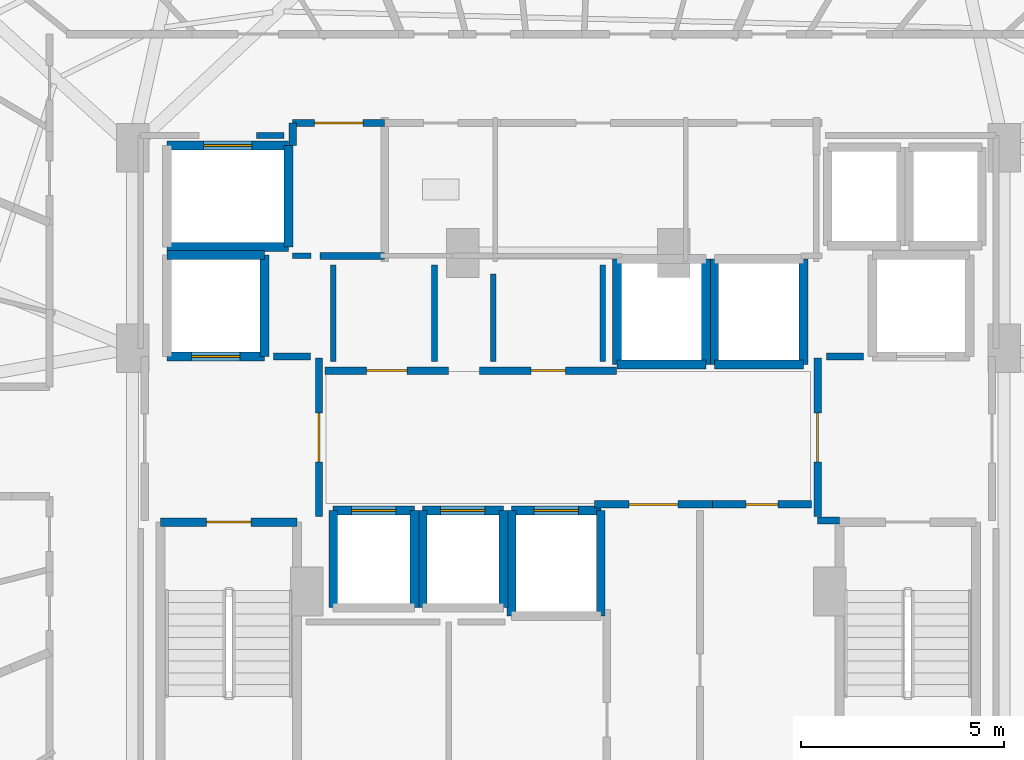
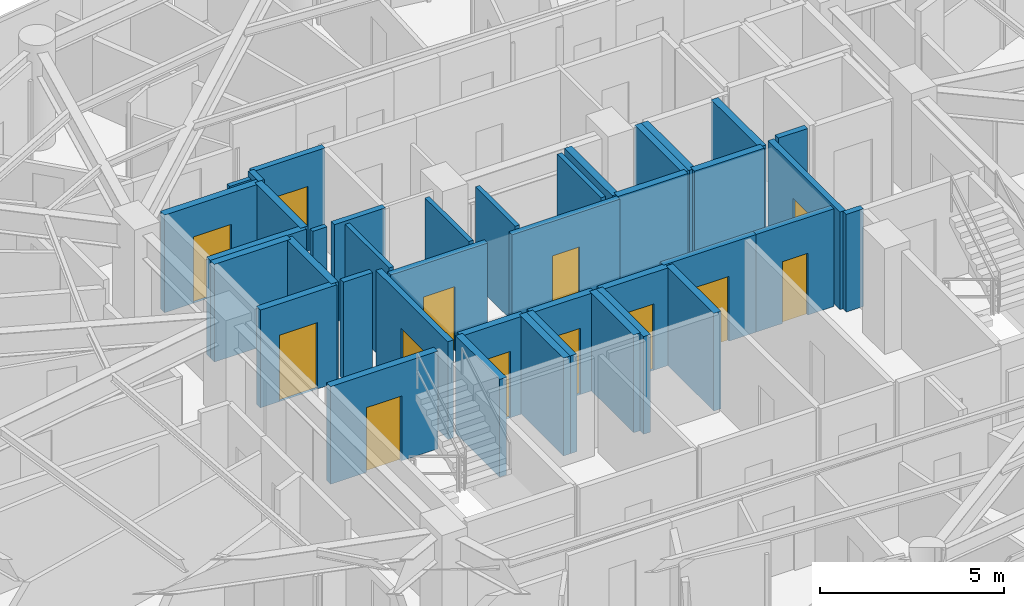
# One storey, part 22 of 28: 40 walls, 13 doors, 13 openings.
"""IFC4 building model written with IfcOpenShell, lengths in metres."""

from ifc_helpers import new_model, si_unit, direction, frame, frame_2d, origin, place, context, subcontext, project, spatial, rectangle, extrude, material, layer, layer_set, type_object, element, fill, save


model = new_model("IFC4")

# Units and contexts
model_context = context("Model", 3, precision=1e-05, world=origin(), true_north=direction((0.0, 1.0)))
body_context = subcontext(model_context, "Body", "Model", "MODEL_VIEW")
ifc_project = project(units=[si_unit("LENGTHUNIT", "METRE"), si_unit("AREAUNIT", "SQUARE_METRE"), si_unit("VOLUMEUNIT", "CUBIC_METRE"), si_unit("PLANEANGLEUNIT", "RADIAN"), si_unit("MASSUNIT", "GRAM", prefix="KILO")], contexts=[model_context])

# Site, building, storey
site_placement = place(None, origin())
site = spatial("IfcSite", under=ifc_project, at=site_placement, CompositionType="ELEMENT")
building_placement = place(site_placement, origin())
building = spatial("IfcBuilding", under=site, at=building_placement, Name="Vorneva Point Tower", CompositionType="ELEMENT")
storey_placement = place(building_placement, frame((0.0, 0.0, 143.10009765625)))
storey = spatial("IfcBuildingStorey", under=building, at=storey_placement, Name="L38", CompositionType="ELEMENT", Elevation=143.10009765625)

# Wall, opening, door
ifc_material_1 = material(Name="Concrete B60 (C50/60)", Category="concrete")
ifc_layer_1 = layer(ifc_material_1, 0.5)
ifc_layer_set_1 = layer_set([ifc_layer_1], Name="Concrete B60 (C50/60)")
wall_type_1 = type_object("IfcWallType", Name="WL-CORE-500", PredefinedType="SHEAR", material=ifc_layer_set_1)
wall_1_placement = place(storey_placement, frame((28.10009765625, 28.0, 0.0), z_axis=(0.0, 0.0, 1.0), x_axis=(1.0, 0.0, 0.0)))
wall_1 = element("IfcWall", 1, at=wall_1_placement, inside=storey, type_object=wall_type_1, Name="L38 Lift FFL1 Shaft Wall -Y", PredefinedType="SHEAR", context=body_context, shape_type="SweptSolid", body=[
    extrude(rectangle(XDim=2.39990234375, YDim=0.219970703125, at=frame_2d((1.199951171875, 0.0))), origin(), (0.0, 0.0, 1.0), 3.239990234375),
])
opening_1_placement = place(wall_1_placement, frame((0.60009765625, 0.0, 0.0)))
opening_1 = element("IfcOpeningElement", 2, at=opening_1_placement, cuts=wall_1, Name="Opening LD-02", PredefinedType="OPENING", context=body_context, shape_type="SweptSolid", body=[
    extrude(rectangle(XDim=1.199951171875, YDim=2.199951171875, at=frame_2d((0.60009765625, 1.10009765625))), frame((0.0, 0.125, 0.0), z_axis=(0.0, -1.0, 0.0), x_axis=(1.0, 0.0, 0.0)), (0.0, 0.0, 1.0), 0.249755859375),
])
ifc_material_2 = material(Name="Brushed stainless steel S304", Category="steel")
door_type_1 = type_object("IfcDoorType", Name="LD-FIRE-1200", OperationType="SLIDING_TO_LEFT", PredefinedType="DOOR", material=ifc_material_2)
door_1_placement = place(opening_1_placement, origin())
door_1 = element("IfcDoor", 3, at=door_1_placement, inside=storey, type_object=door_type_1, Name="L38 Lift FFL1 Sliding Landing Door", OperationType="SLIDING_TO_LEFT", OverallHeight=2.199951171875, OverallWidth=1.199951171875, PredefinedType="DOOR", context=body_context, shape_type="SweptSolid", body=[
    extrude(rectangle(XDim=1.199951171875, YDim=2.199951171875, at=frame_2d((0.60009765625, 1.10009765625))), frame((0.0, 0.02490234375, 0.0), z_axis=(0.0, -1.0, 0.0), x_axis=(1.0, 0.0, 0.0)), (0.0, 0.0, 1.0), 0.050048828125),
])
fill(opening_1, door_1)

# Walls
wall_2_placement = place(storey_placement, frame((30.5, 28.0, 0.0), z_axis=(0.0, 0.0, 1.0), x_axis=(0.0, 1.0, 0.0)))
element("IfcWall", 4, at=wall_2_placement, inside=storey, type_object=wall_type_1, Name="L38 Lift FFL1 Shaft Wall +X", PredefinedType="SHEAR", context=body_context, shape_type="SweptSolid", body=[
    extrude(rectangle(XDim=2.5, YDim=0.219970703125, at=frame_2d((1.25, 0.0))), origin(), (0.0, 0.0, 1.0), 3.239990234375),
])
wall_3_placement = place(storey_placement, frame((30.5, 30.5, 0.0), z_axis=(0.0, 0.0, 1.0), x_axis=(-1.0, 0.0, 0.0)))
element("IfcWall", 5, at=wall_3_placement, inside=storey, type_object=wall_type_1, Name="L38 Lift FFL1 Shaft Wall +Y", PredefinedType="SHEAR", context=body_context, shape_type="SweptSolid", body=[
    extrude(rectangle(XDim=2.39990234375, YDim=0.219970703125, at=frame_2d((1.199951171875, 0.0))), origin(), (0.0, 0.0, 1.0), 3.239990234375),
])
ifc_material_3 = material(Name="Fire-rated acoustic gypsum stud partition", Category="gypsum")
ifc_layer_2 = layer(ifc_material_3, 0.139892578125)
ifc_layer_set_2 = layer_set([ifc_layer_2], Name="Fire-rated acoustic gypsum stud partition")
wall_type_2 = type_object("IfcWallType", Name="WL-PART-140", PredefinedType="PARTITIONING", material=ifc_layer_set_2)
wall_4_placement = place(storey_placement, frame((31.199951171875, 30.47998046875, 0.0), z_axis=(0.0, 0.0, 1.0), x_axis=(1.0, 0.0, 0.0)))
element("IfcWall", 6, at=wall_4_placement, inside=storey, type_object=wall_type_2, Name="L38 Interior Closure Partition 136", PredefinedType="PARTITIONING", context=body_context, shape_type="SweptSolid", body=[
    extrude(rectangle(XDim=0.449951171875, YDim=0.139892578125, at=frame_2d((0.22509765625, 0.0))), origin(), (0.0, 0.0, 1.0), 3.239990234375),
])
for number, where, z_axis, x_axis, name in (
    (7, (32.199951171875, 30.260009765625, 0.0), (0.0, 0.0, 1.0), (0.0, -1.0, 0.0), "L38 Interior Closure Partition 142"),
    (8, (34.699951171875, 27.8701171875, 0.0), (0.0, 0.0, 1.0), (0.0, 1.0, 0.0), "L38 Interior Closure Partition 143"),
):
    element("IfcWall", number, at=place(storey_placement, frame(where, z_axis=z_axis, x_axis=x_axis)), inside=storey, type_object=wall_type_2, Name=name, PredefinedType="PARTITIONING", context=body_context, shape_type="SweptSolid", body=[
        extrude(rectangle(XDim=2.389892578125, YDim=0.139892578125, at=frame_2d((1.19482421875, 0.0))), origin(), (0.0, 0.0, 1.0), 3.239990234375),
    ])
wall_5_placement = place(storey_placement, frame((36.14990234375, 30.030029296875, 0.0), z_axis=(0.0, 0.0, 1.0), x_axis=(0.0, -1.0, 0.0)))
element("IfcWall", 9, at=wall_5_placement, inside=storey, type_object=wall_type_2, Name="L38 Interior Closure Partition 144", PredefinedType="PARTITIONING", context=body_context, shape_type="SweptSolid", body=[
    extrude(rectangle(XDim=2.159912109375, YDim=0.139892578125, at=frame_2d((1.080078125, 0.0))), origin(), (0.0, 0.0, 1.0), 3.239990234375),
])
wall_6_placement = place(storey_placement, frame((38.85009765625, 27.8701171875, 0.0), z_axis=(0.0, 0.0, 1.0), x_axis=(0.0, 1.0, 0.0)))
element("IfcWall", 10, at=wall_6_placement, inside=storey, type_object=wall_type_2, Name="L38 Interior Closure Partition 145", PredefinedType="PARTITIONING", context=body_context, shape_type="SweptSolid", body=[
    extrude(rectangle(XDim=2.389892578125, YDim=0.139892578125, at=frame_2d((1.19482421875, 0.0))), origin(), (0.0, 0.0, 1.0), 3.239990234375),
])
wall_7_placement = place(storey_placement, frame((30.97998046875, 33.449951171875, 0.0), z_axis=(0.0, 0.0, 1.0), x_axis=(-1.0, 0.0, 0.0)))
element("IfcWall", 11, at=wall_7_placement, inside=storey, type_object=wall_type_2, Name="L38 Interior Closure Partition 149", PredefinedType="PARTITIONING", context=body_context, shape_type="SweptSolid", body=[
    extrude(rectangle(XDim=0.674072265625, YDim=0.139892578125, at=frame_2d((0.3369140625, 0.0))), origin(), (0.0, 0.0, 1.0), 3.239990234375),
])

# Wall, opening, door
ifc_material_4 = material(Name="Autoclaved aerated concrete blockwork", Category="masonry")
ifc_layer_3 = layer(ifc_material_4, 0.179931640625)
ifc_layer_set_3 = layer_set([ifc_layer_3], Name="Autoclaved aerated concrete blockwork")
wall_type_3 = type_object("IfcWallType", Name="WL-PART-180", PredefinedType="PARTITIONING", material=ifc_layer_set_3)
wall_8_placement = place(storey_placement, frame((31.85009765625, 24.044921875, 0.0), z_axis=(0.0, 0.0, 1.0), x_axis=(0.0, 1.0, 0.0)))
wall_8 = element("IfcWall", 12, at=wall_8_placement, inside=storey, type_object=wall_type_3, Name="L38 Interior Partition 001", PredefinedType="PARTITIONING", context=body_context, shape_type="SweptSolid", body=[
    extrude(rectangle(XDim=3.91015625, YDim=0.179931640625, at=frame_2d((1.955078125, 0.0))), origin(), (0.0, 0.0, 1.0), 3.239990234375),
])
opening_2_placement = place(wall_8_placement, frame((1.35498046875, 0.0, 0.0)))
opening_2 = element("IfcOpeningElement", 13, at=opening_2_placement, cuts=wall_8, Name="Opening FD-02", PredefinedType="OPENING", context=body_context, shape_type="SweptSolid", body=[
    extrude(rectangle(XDim=1.199951171875, YDim=2.14990234375, at=frame_2d((0.60009765625, 1.074951171875))), frame((0.0, 0.10498046875, 0.0), z_axis=(0.0, -1.0, 0.0), x_axis=(1.0, 0.0, 0.0)), (0.0, 0.0, 1.0), 0.209716796875),
])
ifc_material_5 = material(Name="Fire-rated powder-coated steel", Category="steel")
door_type_2 = type_object("IfcDoorType", Name="DR-FFL-1200", OperationType="NOTDEFINED", PredefinedType="DOOR", material=ifc_material_5)
door_2_placement = place(opening_2_placement, origin())
door_2 = element("IfcDoor", 14, at=door_2_placement, inside=storey, type_object=door_type_2, Name="L38 Door West Firefighting Lobby / Central Lift Lobby", OperationType="SINGLE_SWING_RIGHT", OverallHeight=2.14990234375, OverallWidth=1.199951171875, PredefinedType="DOOR", context=body_context, shape_type="SweptSolid", body=[
    extrude(rectangle(XDim=1.199951171875, YDim=2.14990234375, at=frame_2d((0.60009765625, 1.074951171875))), frame((0.0, 0.02490234375, 0.0), z_axis=(0.0, -1.0, 0.0), x_axis=(1.0, 0.0, 0.0)), (0.0, 0.0, 1.0), 0.050048828125),
])
fill(opening_2, door_2)

wall_9_placement = place(storey_placement, frame((44.14990234375, 27.955078125, 0.0), z_axis=(0.0, 0.0, 1.0), x_axis=(0.0, -1.0, 0.0)))
wall_9 = element("IfcWall", 15, at=wall_9_placement, inside=storey, type_object=wall_type_3, Name="L38 Interior Partition 003", PredefinedType="PARTITIONING", context=body_context, shape_type="SweptSolid", body=[
    extrude(rectangle(XDim=3.91015625, YDim=0.179931640625, at=frame_2d((1.955078125, 0.0))), origin(), (0.0, 0.0, 1.0), 3.239990234375),
])
opening_3_placement = place(wall_9_placement, frame((1.35498046875, 0.0, 0.0)))
opening_3 = element("IfcOpeningElement", 16, at=opening_3_placement, cuts=wall_9, Name="Opening FD-02", PredefinedType="OPENING", context=body_context, shape_type="SweptSolid", body=[
    extrude(rectangle(XDim=1.199951171875, YDim=2.14990234375, at=frame_2d((0.60009765625, 1.074951171875))), frame((0.0, 0.10498046875, 0.0), z_axis=(0.0, -1.0, 0.0), x_axis=(1.0, 0.0, 0.0)), (0.0, 0.0, 1.0), 0.209716796875),
])
door_3_placement = place(opening_3_placement, origin())
door_3 = element("IfcDoor", 17, at=door_3_placement, inside=storey, type_object=door_type_2, Name="L38 Door East Firefighting Lobby / Central Lift Lobby", OperationType="SINGLE_SWING_RIGHT", OverallHeight=2.14990234375, OverallWidth=1.199951171875, PredefinedType="DOOR", context=body_context, shape_type="SweptSolid", body=[
    extrude(rectangle(XDim=1.199951171875, YDim=2.14990234375, at=frame_2d((0.60009765625, 1.074951171875))), frame((0.0, 0.02490234375, 0.0), z_axis=(0.0, -1.0, 0.0), x_axis=(1.0, 0.0, 0.0)), (0.0, 0.0, 1.0), 0.050048828125),
])
fill(opening_3, door_3)

# Walls
wall_10_placement = place(storey_placement, frame((44.14990234375, 23.949951171875, 0.0), z_axis=(0.0, 0.0, 1.0), x_axis=(1.0, 0.0, 0.0)))
element("IfcWall", 18, at=wall_10_placement, inside=storey, type_object=wall_type_3, Name="L38 Interior Partition 004", PredefinedType="PARTITIONING", context=body_context, shape_type="SweptSolid", body=[
    extrude(rectangle(XDim=0.5400390625, YDim=0.179931640625, at=frame_2d((0.27001953125, 0.0))), origin(), (0.0, 0.0, 1.0), 3.239990234375),
])
wall_11_placement = place(storey_placement, frame((31.8701171875, 30.47998046875, 0.0), z_axis=(0.0, 0.0, 1.0), x_axis=(1.0, 0.0, 0.0)))
element("IfcWall", 19, at=wall_11_placement, inside=storey, type_object=wall_type_3, Name="L38 Interior Partition 007", PredefinedType="PARTITIONING", context=body_context, shape_type="SweptSolid", body=[
    extrude(rectangle(XDim=1.599853515625, YDim=0.179931640625, at=frame_2d((0.7998046875, 0.0))), origin(), (0.0, 0.0, 1.0), 3.239990234375),
])

# Wall, opening, door
wall_12_placement = place(storey_placement, frame((33.469970703125, 33.760009765625, 0.0), z_axis=(0.0, 0.0, 1.0), x_axis=(-1.0, 0.0, 0.0)))
wall_12 = element("IfcWall", 20, at=wall_12_placement, inside=storey, type_object=wall_type_3, Name="L38 Interior Partition 008", PredefinedType="PARTITIONING", context=body_context, shape_type="SweptSolid", body=[
    extrude(rectangle(XDim=2.27001953125, YDim=0.179931640625, at=frame_2d((1.135009765625, 0.0))), origin(), (0.0, 0.0, 1.0), 3.239990234375),
])
opening_4_placement = place(wall_12_placement, frame((0.534912109375, 0.0, 0.0)))
opening_4 = element("IfcOpeningElement", 21, at=opening_4_placement, cuts=wall_12, Name="Opening FD-02", PredefinedType="OPENING", context=body_context, shape_type="SweptSolid", body=[
    extrude(rectangle(XDim=1.199951171875, YDim=2.14990234375, at=frame_2d((0.60009765625, 1.074951171875))), frame((0.0, 0.10498046875, 0.0), z_axis=(0.0, -1.0, 0.0), x_axis=(1.0, 0.0, 0.0)), (0.0, 0.0, 1.0), 0.209716796875),
])
door_4_placement = place(opening_4_placement, origin())
door_4 = element("IfcDoor", 22, at=door_4_placement, inside=storey, type_object=door_type_2, Name="L38 Door Service Lift Lobby / L38 Circulation Corridor", OperationType="SINGLE_SWING_RIGHT", OverallHeight=2.14990234375, OverallWidth=1.199951171875, PredefinedType="DOOR", context=body_context, shape_type="SweptSolid", body=[
    extrude(rectangle(XDim=1.199951171875, YDim=2.14990234375, at=frame_2d((0.60009765625, 1.074951171875))), frame((0.0, 0.02490234375, 0.0), z_axis=(0.0, -1.0, 0.0), x_axis=(1.0, 0.0, 0.0)), (0.0, 0.0, 1.0), 0.050048828125),
])
fill(opening_4, door_4)

# Wall
wall_13_placement = place(storey_placement, frame((31.199951171875, 33.760009765625, 0.0), z_axis=(0.0, 0.0, 1.0), x_axis=(0.0, -1.0, 0.0)))
element("IfcWall", 23, at=wall_13_placement, inside=storey, type_object=wall_type_3, Name="L38 Interior Partition 009", PredefinedType="PARTITIONING", context=body_context, shape_type="SweptSolid", body=[
    extrude(rectangle(XDim=0.56005859375, YDim=0.179931640625, at=frame_2d((0.280029296875, 0.0))), origin(), (0.0, 0.0, 1.0), 3.239990234375),
])

# Wall, opening, door
wall_14_placement = place(storey_placement, frame((38.64501953125, 24.35009765625, 0.0), z_axis=(0.0, 0.0, 1.0), x_axis=(1.0, 0.0, 0.0)))
wall_14 = element("IfcWall", 24, at=wall_14_placement, inside=storey, type_object=wall_type_3, Name="L38 Interior Partition 010", PredefinedType="PARTITIONING", context=body_context, shape_type="SweptSolid", body=[
    extrude(rectangle(XDim=2.909912109375, YDim=0.179931640625, at=frame_2d((1.455078125, 0.0))), origin(), (0.0, 0.0, 1.0), 3.239990234375),
])
opening_5_placement = place(wall_14_placement, frame((0.85498046875, 0.0, 0.0)))
opening_5 = element("IfcOpeningElement", 25, at=opening_5_placement, cuts=wall_14, Name="Opening FD-02", PredefinedType="OPENING", context=body_context, shape_type="SweptSolid", body=[
    extrude(rectangle(XDim=1.199951171875, YDim=2.14990234375, at=frame_2d((0.60009765625, 1.074951171875))), frame((0.0, 0.10498046875, 0.0), z_axis=(0.0, -1.0, 0.0), x_axis=(1.0, 0.0, 0.0)), (0.0, 0.0, 1.0), 0.209716796875),
])
door_5_placement = place(opening_5_placement, origin())
door_5 = element("IfcDoor", 26, at=door_5_placement, inside=storey, type_object=door_type_2, Name="L38 Door Central Lift Lobby / Core Service Lobby", OperationType="SINGLE_SWING_LEFT", OverallHeight=2.14990234375, OverallWidth=1.199951171875, PredefinedType="DOOR", context=body_context, shape_type="SweptSolid", body=[
    extrude(rectangle(XDim=1.199951171875, YDim=2.14990234375, at=frame_2d((0.60009765625, 1.074951171875))), frame((0.0, 0.02490234375, 0.0), z_axis=(0.0, -1.0, 0.0), x_axis=(1.0, 0.0, 0.0)), (0.0, 0.0, 1.0), 0.050048828125),
])
fill(opening_5, door_5)

wall_15_placement = place(storey_placement, frame((41.554931640625, 24.35009765625, 0.0), z_axis=(0.0, 0.0, 1.0), x_axis=(1.0, 0.0, 0.0)))
wall_15 = element("IfcWall", 27, at=wall_15_placement, inside=storey, type_object=wall_type_3, Name="L38 Interior Partition 011", PredefinedType="PARTITIONING", context=body_context, shape_type="SweptSolid", body=[
    extrude(rectangle(XDim=2.445068359375, YDim=0.179931640625, at=frame_2d((1.22265625, 0.0))), origin(), (0.0, 0.0, 1.0), 3.239990234375),
])
opening_6_placement = place(wall_15_placement, frame((0.822509765625, 0.0, 0.0)))
opening_6 = element("IfcOpeningElement", 28, at=opening_6_placement, cuts=wall_15, Name="Opening RD-01", PredefinedType="OPENING", context=body_context, shape_type="SweptSolid", body=[
    extrude(rectangle(XDim=0.800048828125, YDim=2.050048828125, at=frame_2d((0.39990234375, 1.02490234375))), frame((0.0, 0.10498046875, 0.0), z_axis=(0.0, -1.0, 0.0), x_axis=(1.0, 0.0, 0.0)), (0.0, 0.0, 1.0), 0.209716796875),
])
door_type_3 = type_object("IfcDoorType", Name="DR-RSR-800", OperationType="SINGLE_SWING_LEFT", PredefinedType="DOOR", material=ifc_material_5)
door_6_placement = place(opening_6_placement, origin())
door_6 = element("IfcDoor", 29, at=door_6_placement, inside=storey, type_object=door_type_3, Name="L38 Door Central Lift Lobby / Electrical Riser", OperationType="SINGLE_SWING_RIGHT", OverallHeight=2.050048828125, OverallWidth=0.800048828125, PredefinedType="DOOR", context=body_context, shape_type="SweptSolid", body=[
    extrude(rectangle(XDim=0.800048828125, YDim=2.050048828125, at=frame_2d((0.39990234375, 1.02490234375))), frame((0.0, 0.02490234375, 0.0), z_axis=(0.0, -1.0, 0.0), x_axis=(1.0, 0.0, 0.0)), (0.0, 0.0, 1.0), 0.050048828125),
])
fill(opening_6, door_6)

wall_16_placement = place(storey_placement, frame((35.0400390625, 27.64990234375, 0.0), z_axis=(0.0, 0.0, 1.0), x_axis=(-1.0, 0.0, 0.0)))
wall_16 = element("IfcWall", 30, at=wall_16_placement, inside=storey, type_object=wall_type_3, Name="L38 Interior Partition 012", PredefinedType="PARTITIONING", context=body_context, shape_type="SweptSolid", body=[
    extrude(rectangle(XDim=3.0400390625, YDim=0.179931640625, at=frame_2d((1.52001953125, 0.0))), origin(), (0.0, 0.0, 1.0), 3.239990234375),
])
opening_7_placement = place(wall_16_placement, frame((1.02001953125, 0.0, 0.0)))
opening_7 = element("IfcOpeningElement", 31, at=opening_7_placement, cuts=wall_16, Name="Opening UD-01", PredefinedType="OPENING", context=body_context, shape_type="SweptSolid", body=[
    extrude(rectangle(XDim=1.0, YDim=2.14990234375, at=frame_2d((0.5, 1.074951171875))), frame((0.0, 0.10498046875, 0.0), z_axis=(0.0, -1.0, 0.0), x_axis=(1.0, 0.0, 0.0)), (0.0, 0.0, 1.0), 0.209716796875),
])
ifc_material_6 = material(Name="Engineered oak fire-rated door leaf", Category="wood")
door_type_4 = type_object("IfcDoorType", Name="DR-UNIT-1000", OperationType="NOTDEFINED", PredefinedType="DOOR", material=ifc_material_6)
door_7_placement = place(opening_7_placement, origin())
door_7 = element("IfcDoor", 32, at=door_7_placement, inside=storey, type_object=door_type_4, Name="L38 Door Central Lift Lobby / Reclaimed Core Lounge", OperationType="SINGLE_SWING_LEFT", OverallHeight=2.14990234375, OverallWidth=1.0, PredefinedType="DOOR", context=body_context, shape_type="SweptSolid", body=[
    extrude(rectangle(XDim=1.0, YDim=2.14990234375, at=frame_2d((0.5, 1.074951171875))), frame((0.0, 0.02490234375, 0.0), z_axis=(0.0, -1.0, 0.0), x_axis=(1.0, 0.0, 0.0)), (0.0, 0.0, 1.0), 0.050048828125),
])
fill(opening_7, door_7)

wall_17_placement = place(storey_placement, frame((39.18994140625, 27.64990234375, 0.0), z_axis=(0.0, 0.0, 1.0), x_axis=(-1.0, 0.0, 0.0)))
wall_17 = element("IfcWall", 33, at=wall_17_placement, inside=storey, type_object=wall_type_3, Name="L38 Interior Partition 013", PredefinedType="PARTITIONING", context=body_context, shape_type="SweptSolid", body=[
    extrude(rectangle(XDim=3.3798828125, YDim=0.179931640625, at=frame_2d((1.68994140625, 0.0))), origin(), (0.0, 0.0, 1.0), 3.239990234375),
])
opening_8_placement = place(wall_17_placement, frame((1.264892578125, 0.0, 0.0)))
opening_8 = element("IfcOpeningElement", 34, at=opening_8_placement, cuts=wall_17, Name="Opening ID-02", PredefinedType="OPENING", context=body_context, shape_type="SweptSolid", body=[
    extrude(rectangle(XDim=0.85009765625, YDim=2.10009765625, at=frame_2d((0.425048828125, 1.050048828125))), frame((0.0, 0.10498046875, 0.0), z_axis=(0.0, -1.0, 0.0), x_axis=(1.0, 0.0, 0.0)), (0.0, 0.0, 1.0), 0.209716796875),
])
door_type_5 = type_object("IfcDoorType", Name="DR-BATH-850", OperationType="NOTDEFINED", PredefinedType="DOOR", material=ifc_material_6)
door_8_placement = place(opening_8_placement, origin())
door_8 = element("IfcDoor", 35, at=door_8_placement, inside=storey, type_object=door_type_5, Name="L38 Door Central Lift Lobby / Reclaimed Core Archive Store", OperationType="SINGLE_SWING_RIGHT", OverallHeight=2.10009765625, OverallWidth=0.85009765625, PredefinedType="DOOR", context=body_context, shape_type="SweptSolid", body=[
    extrude(rectangle(XDim=0.85009765625, YDim=2.10009765625, at=frame_2d((0.425048828125, 1.050048828125))), frame((0.0, 0.02490234375, 0.0), z_axis=(0.0, -1.0, 0.0), x_axis=(1.0, 0.0, 0.0)), (0.0, 0.0, 1.0), 0.050048828125),
])
fill(opening_8, door_8)

# Walls
for number, where, z_axis, x_axis, name in (
    (36, (31.635009765625, 28.0, 0.0), (0.0, 0.0, 1.0), (-1.0, 0.0, 0.0), "L38 Interior Closure Partition 134"),
    (37, (45.280029296875, 28.0, 0.0), (0.0, 0.0, 1.0), (-1.0, 0.0, 0.0), "L38 Interior Closure Partition 135"),
):
    element("IfcWall", number, at=place(storey_placement, frame(where, z_axis=z_axis, x_axis=x_axis)), inside=storey, type_object=wall_type_3, Name=name, PredefinedType="PARTITIONING", context=body_context, shape_type="SweptSolid", body=[
        extrude(rectangle(XDim=0.9150390625, YDim=0.179931640625, at=frame_2d((0.45751953125, 0.0))), origin(), (0.0, 0.0, 1.0), 3.239990234375),
    ])

# Wall, opening, door
ifc_material_7 = material(Name="Concrete B50 (C40/50)", Category="concrete")
ifc_layer_4 = layer(ifc_material_7, 0.219970703125)
ifc_layer_set_4 = layer_set([ifc_layer_4], Name="Concrete B50 (C40/50)")
wall_type_4 = type_object("IfcWallType", Name="WL-SHFT-220", PredefinedType="SOLIDWALL", material=ifc_layer_set_4)
wall_18_placement = place(storey_placement, frame((27.93994140625, 23.909912109375, 0.0), z_axis=(0.0, 0.0, 1.0), x_axis=(1.0, 0.0, 0.0)))
wall_18 = element("IfcWall", 38, at=wall_18_placement, inside=storey, type_object=wall_type_4, Name="L38 Exit Stair ST1 Shaft Wall near", PredefinedType="SOLIDWALL", context=body_context, shape_type="SweptSolid", body=[
    extrude(rectangle(XDim=3.3701171875, YDim=0.219970703125, at=frame_2d((1.68505859375, 0.0))), origin(), (0.0, 0.0, 1.0), 3.239990234375),
])
opening_9_placement = place(wall_18_placement, frame((1.135009765625, 0.0, 0.0)))
opening_9 = element("IfcOpeningElement", 39, at=opening_9_placement, cuts=wall_18, Name="Opening FD-01", PredefinedType="OPENING", context=body_context, shape_type="SweptSolid", body=[
    extrude(rectangle(XDim=1.10009765625, YDim=2.14990234375, at=frame_2d((0.550048828125, 1.074951171875))), frame((0.0, 0.125, 0.0), z_axis=(0.0, -1.0, 0.0), x_axis=(1.0, 0.0, 0.0)), (0.0, 0.0, 1.0), 0.249755859375),
])
door_type_6 = type_object("IfcDoorType", Name="DR-STAIR-1100", OperationType="NOTDEFINED", PredefinedType="DOOR", material=ifc_material_5)
door_9_placement = place(opening_9_placement, origin())
door_9 = element("IfcDoor", 40, at=door_9_placement, inside=storey, type_object=door_type_6, Name="L38 Exit Stair ST1 Fire Door", OperationType="SINGLE_SWING_RIGHT", OverallHeight=2.14990234375, OverallWidth=1.10009765625, PredefinedType="DOOR", context=body_context, shape_type="SweptSolid", body=[
    extrude(rectangle(XDim=1.10009765625, YDim=2.14990234375, at=frame_2d((0.550048828125, 1.074951171875))), frame((0.0, 0.02490234375, 0.0), z_axis=(0.0, -1.0, 0.0), x_axis=(1.0, 0.0, 0.0)), (0.0, 0.0, 1.0), 0.050048828125),
])
fill(opening_9, door_9)

# Wall
wall_19_placement = place(storey_placement, frame((34.199951171875, 21.800048828125, 0.0), z_axis=(0.0, 0.0, 1.0), x_axis=(0.0, 1.0, 0.0)))
element("IfcWall", 41, at=wall_19_placement, inside=storey, type_object=wall_type_4, Name="L38 Lift PL4 Shaft Wall +X", PredefinedType="SOLIDWALL", context=body_context, shape_type="SweptSolid", body=[
    extrude(rectangle(XDim=2.39990234375, YDim=0.219970703125, at=frame_2d((1.199951171875, 0.0))), origin(), (0.0, 0.0, 1.0), 3.239990234375),
])

# Wall, opening, door
wall_20_placement = place(storey_placement, frame((34.199951171875, 24.199951171875, 0.0), z_axis=(0.0, 0.0, 1.0), x_axis=(-1.0, 0.0, 0.0)))
wall_20 = element("IfcWall", 42, at=wall_20_placement, inside=storey, type_object=wall_type_4, Name="L38 Lift PL4 Shaft Wall +Y", PredefinedType="SOLIDWALL", context=body_context, shape_type="SweptSolid", body=[
    extrude(rectangle(XDim=2.0, YDim=0.219970703125, at=frame_2d((1.0, 0.0))), origin(), (0.0, 0.0, 1.0), 3.239990234375),
])
opening_10_placement = place(wall_20_placement, frame((0.449951171875, 0.0, 0.0)))
opening_10 = element("IfcOpeningElement", 43, at=opening_10_placement, cuts=wall_20, Name="Opening LD-01", PredefinedType="OPENING", context=body_context, shape_type="SweptSolid", body=[
    extrude(rectangle(XDim=1.10009765625, YDim=2.199951171875, at=frame_2d((0.550048828125, 1.10009765625))), frame((0.0, 0.125, 0.0), z_axis=(0.0, -1.0, 0.0), x_axis=(1.0, 0.0, 0.0)), (0.0, 0.0, 1.0), 0.249755859375),
])
door_type_7 = type_object("IfcDoorType", Name="LD-PASS-1100", OperationType="SLIDING_TO_LEFT", PredefinedType="DOOR", material=ifc_material_2)
door_10_placement = place(opening_10_placement, origin())
door_10 = element("IfcDoor", 44, at=door_10_placement, inside=storey, type_object=door_type_7, Name="L38 Lift PL4 Sliding Landing Door", OperationType="SLIDING_TO_LEFT", OverallHeight=2.199951171875, OverallWidth=1.10009765625, PredefinedType="DOOR", context=body_context, shape_type="SweptSolid", body=[
    extrude(rectangle(XDim=1.10009765625, YDim=2.199951171875, at=frame_2d((0.550048828125, 1.10009765625))), frame((0.0, 0.02490234375, 0.0), z_axis=(0.0, -1.0, 0.0), x_axis=(1.0, 0.0, 0.0)), (0.0, 0.0, 1.0), 0.050048828125),
])
fill(opening_10, door_10)

# Walls
for number, where, z_axis, x_axis, name in (
    (45, (32.199951171875, 24.199951171875, 0.0), (0.0, 0.0, 1.0), (0.0, -1.0, 0.0), "L38 Lift PL4 Shaft Wall -X"),
    (46, (36.39990234375, 21.800048828125, 0.0), (0.0, 0.0, 1.0), (0.0, 1.0, 0.0), "L38 Lift PL5 Shaft Wall +X"),
):
    element("IfcWall", number, at=place(storey_placement, frame(where, z_axis=z_axis, x_axis=x_axis)), inside=storey, type_object=wall_type_4, Name=name, PredefinedType="SOLIDWALL", context=body_context, shape_type="SweptSolid", body=[
        extrude(rectangle(XDim=2.39990234375, YDim=0.219970703125, at=frame_2d((1.199951171875, 0.0))), origin(), (0.0, 0.0, 1.0), 3.239990234375),
    ])

# Wall, opening, door
wall_21_placement = place(storey_placement, frame((36.39990234375, 24.199951171875, 0.0), z_axis=(0.0, 0.0, 1.0), x_axis=(-1.0, 0.0, 0.0)))
wall_21 = element("IfcWall", 47, at=wall_21_placement, inside=storey, type_object=wall_type_4, Name="L38 Lift PL5 Shaft Wall +Y", PredefinedType="SOLIDWALL", context=body_context, shape_type="SweptSolid", body=[
    extrude(rectangle(XDim=2.0, YDim=0.219970703125, at=frame_2d((1.0, 0.0))), origin(), (0.0, 0.0, 1.0), 3.239990234375),
])
opening_11_placement = place(wall_21_placement, frame((0.449951171875, 0.0, 0.0)))
opening_11 = element("IfcOpeningElement", 48, at=opening_11_placement, cuts=wall_21, Name="Opening LD-01", PredefinedType="OPENING", context=body_context, shape_type="SweptSolid", body=[
    extrude(rectangle(XDim=1.10009765625, YDim=2.199951171875, at=frame_2d((0.550048828125, 1.10009765625))), frame((0.0, 0.125, 0.0), z_axis=(0.0, -1.0, 0.0), x_axis=(1.0, 0.0, 0.0)), (0.0, 0.0, 1.0), 0.249755859375),
])
door_11_placement = place(opening_11_placement, origin())
door_11 = element("IfcDoor", 49, at=door_11_placement, inside=storey, type_object=door_type_7, Name="L38 Lift PL5 Sliding Landing Door", OperationType="SLIDING_TO_LEFT", OverallHeight=2.199951171875, OverallWidth=1.10009765625, PredefinedType="DOOR", context=body_context, shape_type="SweptSolid", body=[
    extrude(rectangle(XDim=1.10009765625, YDim=2.199951171875, at=frame_2d((0.550048828125, 1.10009765625))), frame((0.0, 0.02490234375, 0.0), z_axis=(0.0, -1.0, 0.0), x_axis=(1.0, 0.0, 0.0)), (0.0, 0.0, 1.0), 0.050048828125),
])
fill(opening_11, door_11)

# Walls
wall_22_placement = place(storey_placement, frame((34.39990234375, 24.199951171875, 0.0), z_axis=(0.0, 0.0, 1.0), x_axis=(0.0, -1.0, 0.0)))
element("IfcWall", 50, at=wall_22_placement, inside=storey, type_object=wall_type_4, Name="L38 Lift PL5 Shaft Wall -X", PredefinedType="SOLIDWALL", context=body_context, shape_type="SweptSolid", body=[
    extrude(rectangle(XDim=2.39990234375, YDim=0.219970703125, at=frame_2d((1.199951171875, 0.0))), origin(), (0.0, 0.0, 1.0), 3.239990234375),
])
wall_23_placement = place(storey_placement, frame((38.800048828125, 21.60009765625, 0.0), z_axis=(0.0, 0.0, 1.0), x_axis=(0.0, 1.0, 0.0)))
element("IfcWall", 51, at=wall_23_placement, inside=storey, type_object=wall_type_4, Name="L38 Lift PL6 Shaft Wall +X", PredefinedType="SOLIDWALL", context=body_context, shape_type="SweptSolid", body=[
    extrude(rectangle(XDim=2.599853515625, YDim=0.219970703125, at=frame_2d((1.2998046875, 0.0))), origin(), (0.0, 0.0, 1.0), 3.239990234375),
])

# Wall, opening, door
wall_24_placement = place(storey_placement, frame((38.800048828125, 24.199951171875, 0.0), z_axis=(0.0, 0.0, 1.0), x_axis=(-1.0, 0.0, 0.0)))
wall_24 = element("IfcWall", 52, at=wall_24_placement, inside=storey, type_object=wall_type_4, Name="L38 Lift PL6 Shaft Wall +Y", PredefinedType="SOLIDWALL", context=body_context, shape_type="SweptSolid", body=[
    extrude(rectangle(XDim=2.199951171875, YDim=0.219970703125, at=frame_2d((1.10009765625, 0.0))), origin(), (0.0, 0.0, 1.0), 3.239990234375),
])
opening_12_placement = place(wall_24_placement, frame((0.550048828125, 0.0, 0.0)))
opening_12 = element("IfcOpeningElement", 53, at=opening_12_placement, cuts=wall_24, Name="Opening LD-01", PredefinedType="OPENING", context=body_context, shape_type="SweptSolid", body=[
    extrude(rectangle(XDim=1.10009765625, YDim=2.199951171875, at=frame_2d((0.550048828125, 1.10009765625))), frame((0.0, 0.125, 0.0), z_axis=(0.0, -1.0, 0.0), x_axis=(1.0, 0.0, 0.0)), (0.0, 0.0, 1.0), 0.249755859375),
])
door_12_placement = place(opening_12_placement, origin())
door_12 = element("IfcDoor", 54, at=door_12_placement, inside=storey, type_object=door_type_7, Name="L38 Lift PL6 Sliding Landing Door", OperationType="SLIDING_TO_LEFT", OverallHeight=2.199951171875, OverallWidth=1.10009765625, PredefinedType="DOOR", context=body_context, shape_type="SweptSolid", body=[
    extrude(rectangle(XDim=1.10009765625, YDim=2.199951171875, at=frame_2d((0.550048828125, 1.10009765625))), frame((0.0, 0.02490234375, 0.0), z_axis=(0.0, -1.0, 0.0), x_axis=(1.0, 0.0, 0.0)), (0.0, 0.0, 1.0), 0.050048828125),
])
fill(opening_12, door_12)

# Walls
wall_25_placement = place(storey_placement, frame((36.60009765625, 24.199951171875, 0.0), z_axis=(0.0, 0.0, 1.0), x_axis=(0.0, -1.0, 0.0)))
element("IfcWall", 55, at=wall_25_placement, inside=storey, type_object=wall_type_4, Name="L38 Lift PL6 Shaft Wall -X", PredefinedType="SOLIDWALL", context=body_context, shape_type="SweptSolid", body=[
    extrude(rectangle(XDim=2.599853515625, YDim=0.219970703125, at=frame_2d((1.2998046875, 0.0))), origin(), (0.0, 0.0, 1.0), 3.239990234375),
])
wall_26_placement = place(storey_placement, frame((39.199951171875, 27.800048828125, 0.0), z_axis=(0.0, 0.0, 1.0), x_axis=(1.0, 0.0, 0.0)))
element("IfcWall", 56, at=wall_26_placement, inside=storey, type_object=wall_type_4, Name="L38 Lift PL7 Shaft Wall -Y", PredefinedType="SOLIDWALL", context=body_context, shape_type="SweptSolid", body=[
    extrude(rectangle(XDim=2.199951171875, YDim=0.219970703125, at=frame_2d((1.10009765625, 0.0))), origin(), (0.0, 0.0, 1.0), 3.239990234375),
])
for number, where, z_axis, x_axis, name in (
    (57, (41.39990234375, 27.800048828125, 0.0), (0.0, 0.0, 1.0), (0.0, 1.0, 0.0), "L38 Lift PL7 Shaft Wall +X"),
    (58, (39.199951171875, 30.39990234375, 0.0), (0.0, 0.0, 1.0), (0.0, -1.0, 0.0), "L38 Lift PL7 Shaft Wall -X"),
):
    element("IfcWall", number, at=place(storey_placement, frame(where, z_axis=z_axis, x_axis=x_axis)), inside=storey, type_object=wall_type_4, Name=name, PredefinedType="SOLIDWALL", context=body_context, shape_type="SweptSolid", body=[
        extrude(rectangle(XDim=2.599853515625, YDim=0.219970703125, at=frame_2d((1.2998046875, 0.0))), origin(), (0.0, 0.0, 1.0), 3.239990234375),
    ])
wall_27_placement = place(storey_placement, frame((41.60009765625, 27.800048828125, 0.0), z_axis=(0.0, 0.0, 1.0), x_axis=(1.0, 0.0, 0.0)))
element("IfcWall", 59, at=wall_27_placement, inside=storey, type_object=wall_type_4, Name="L38 Lift PL8 Shaft Wall -Y", PredefinedType="SOLIDWALL", context=body_context, shape_type="SweptSolid", body=[
    extrude(rectangle(XDim=2.199951171875, YDim=0.219970703125, at=frame_2d((1.10009765625, 0.0))), origin(), (0.0, 0.0, 1.0), 3.239990234375),
])
for number, where, z_axis, x_axis, name in (
    (60, (43.800048828125, 27.800048828125, 0.0), (0.0, 0.0, 1.0), (0.0, 1.0, 0.0), "L38 Lift PL8 Shaft Wall +X"),
    (61, (41.60009765625, 30.39990234375, 0.0), (0.0, 0.0, 1.0), (0.0, -1.0, 0.0), "L38 Lift PL8 Shaft Wall -X"),
):
    element("IfcWall", number, at=place(storey_placement, frame(where, z_axis=z_axis, x_axis=x_axis)), inside=storey, type_object=wall_type_4, Name=name, PredefinedType="SOLIDWALL", context=body_context, shape_type="SweptSolid", body=[
        extrude(rectangle(XDim=2.599853515625, YDim=0.219970703125, at=frame_2d((1.2998046875, 0.0))), origin(), (0.0, 0.0, 1.0), 3.239990234375),
    ])
wall_28_placement = place(storey_placement, frame((28.10009765625, 30.699951171875, 0.0), z_axis=(0.0, 0.0, 1.0), x_axis=(1.0, 0.0, 0.0)))
element("IfcWall", 62, at=wall_28_placement, inside=storey, type_object=wall_type_4, Name="L38 Lift SVL1 Shaft Wall -Y", PredefinedType="SOLIDWALL", context=body_context, shape_type="SweptSolid", body=[
    extrude(rectangle(XDim=3.0, YDim=0.219970703125, at=frame_2d((1.5, 0.0))), origin(), (0.0, 0.0, 1.0), 3.239990234375),
])
wall_29_placement = place(storey_placement, frame((31.10009765625, 30.699951171875, 0.0), z_axis=(0.0, 0.0, 1.0), x_axis=(0.0, 1.0, 0.0)))
element("IfcWall", 63, at=wall_29_placement, inside=storey, type_object=wall_type_4, Name="L38 Lift SVL1 Shaft Wall +X", PredefinedType="SOLIDWALL", context=body_context, shape_type="SweptSolid", body=[
    extrude(rectangle(XDim=2.5, YDim=0.219970703125, at=frame_2d((1.25, 0.0))), origin(), (0.0, 0.0, 1.0), 3.239990234375),
])

# Wall, opening, door
wall_30_placement = place(storey_placement, frame((31.10009765625, 33.199951171875, 0.0), z_axis=(0.0, 0.0, 1.0), x_axis=(-1.0, 0.0, 0.0)))
wall_30 = element("IfcWall", 64, at=wall_30_placement, inside=storey, type_object=wall_type_4, Name="L38 Lift SVL1 Shaft Wall +Y", PredefinedType="SOLIDWALL", context=body_context, shape_type="SweptSolid", body=[
    extrude(rectangle(XDim=3.0, YDim=0.219970703125, at=frame_2d((1.5, 0.0))), origin(), (0.0, 0.0, 1.0), 3.239990234375),
])
opening_13_placement = place(wall_30_placement, frame((0.89990234375, 0.0, 0.0)))
opening_13 = element("IfcOpeningElement", 65, at=opening_13_placement, cuts=wall_30, Name="Opening LD-02", PredefinedType="OPENING", context=body_context, shape_type="SweptSolid", body=[
    extrude(rectangle(XDim=1.199951171875, YDim=2.199951171875, at=frame_2d((0.60009765625, 1.10009765625))), frame((0.0, 0.125, 0.0), z_axis=(0.0, -1.0, 0.0), x_axis=(1.0, 0.0, 0.0)), (0.0, 0.0, 1.0), 0.249755859375),
])
door_13_placement = place(opening_13_placement, origin())
door_13 = element("IfcDoor", 66, at=door_13_placement, inside=storey, type_object=door_type_1, Name="L38 Lift SVL1 Sliding Landing Door", OperationType="SLIDING_TO_LEFT", OverallHeight=2.199951171875, OverallWidth=1.199951171875, PredefinedType="DOOR", context=body_context, shape_type="SweptSolid", body=[
    extrude(rectangle(XDim=1.199951171875, YDim=2.199951171875, at=frame_2d((0.60009765625, 1.10009765625))), frame((0.0, 0.02490234375, 0.0), z_axis=(0.0, -1.0, 0.0), x_axis=(1.0, 0.0, 0.0)), (0.0, 0.0, 1.0), 0.050048828125),
])
fill(opening_13, door_13)

save(model, "model.ifc")
